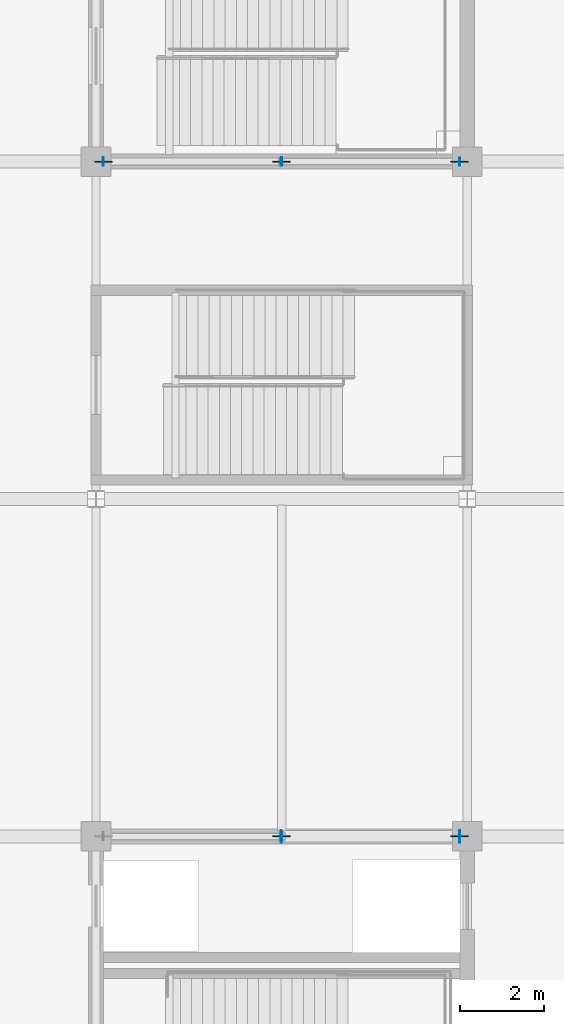
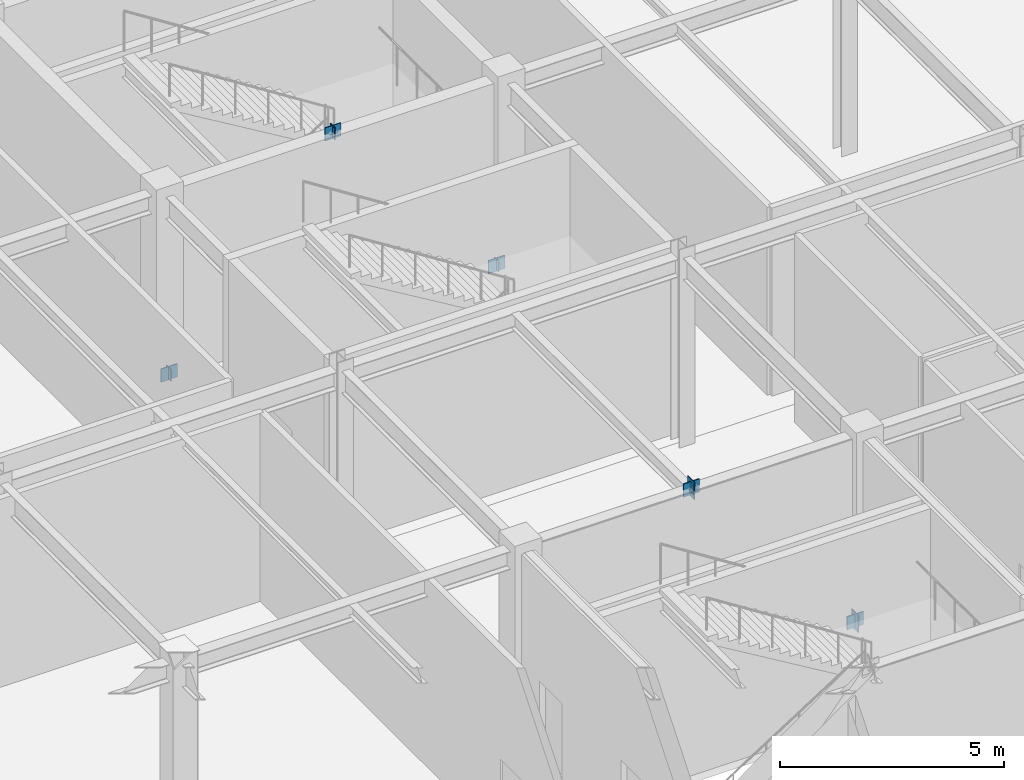
# One storey, part 79 of 119: 12 plates.
"""IFC4 building model written with IfcOpenShell, lengths in metres."""

from ifc_helpers import new_model, si_unit, direction, frame, origin, origin_2d, place, context, subcontext, project, spatial, rectangle, extrude, material, layer, layer_set, type_object, element, save


model = new_model("IFC4")

# Units and contexts
model_context = context("Model", 3, precision=1e-05, world=origin(), true_north=direction((0.0, 1.0)))
body_context = subcontext(model_context, "Body", "Model", "MODEL_VIEW")
ifc_project = project(units=[si_unit("LENGTHUNIT", "METRE"), si_unit("AREAUNIT", "SQUARE_METRE"), si_unit("VOLUMEUNIT", "CUBIC_METRE"), si_unit("PLANEANGLEUNIT", "RADIAN"), si_unit("MASSUNIT", "GRAM", prefix="KILO")], contexts=[model_context])

# Site, building, storey
site_placement = place(None, origin())
site = spatial("IfcSite", under=ifc_project, at=site_placement, CompositionType="ELEMENT")
building_placement = place(site_placement, origin())
building = spatial("IfcBuilding", under=site, at=building_placement, Name="Zhaolan Boulevard Law Courts", CompositionType="ELEMENT")
storey_placement = place(building_placement, origin())
storey = spatial("IfcBuildingStorey", under=building, at=storey_placement, Name="L00", CompositionType="ELEMENT", Elevation=0.0)

# Plates
ifc_material_1 = material(Name="Structural steel Q355B", Category="steel")
ifc_layer_1 = layer(ifc_material_1, 0.02392578125)
ifc_layer_set_1 = layer_set([ifc_layer_1])
plate_type_1 = type_object("IfcPlateType", Name="BRACE GUSSET PLATE 24", PredefinedType="SHEET", material=ifc_layer_set_1)
for number, where, z_axis, x_axis, name in (
    (1, (26.219970703125, 70.0, -0.14990234375), (0.0, 0.0, 1.0), (1.0, 0.0, 0.0), "Brace Gusset Connection Plate GP-W2-L00-NA2"),
    (2, (22.0, 70.0, 4.93994140625), (0.0, 0.0, 1.0), (1.0, 0.0, 0.0), "Brace Gusset Connection Plate GP-W2-L00-NAPX"),
    (3, (17.780029296875, 86.0, -0.14990234375), (0.0, 0.0, 1.0), (1.0, 0.0, 0.0), "Brace Gusset Connection Plate GP-L1-L00-SA1"),
    (4, (26.219970703125, 86.0, -0.14990234375), (0.0, 0.0, 1.0), (1.0, 0.0, 0.0), "Brace Gusset Connection Plate GP-L1-L00-SA2"),
    (5, (22.0, 86.0, 4.93994140625), (0.0, 0.0, 1.0), (1.0, 0.0, 0.0), "Brace Gusset Connection Plate GP-L1-L00-SAPX"),
):
    element("IfcPlate", number, at=place(storey_placement, frame(where, z_axis=z_axis, x_axis=x_axis)), inside=storey, type_object=plate_type_1, Name=name, PredefinedType="SHEET", context=body_context, shape_type="SweptSolid", body=[
        extrude(rectangle(XDim=0.419921875, YDim=0.02392578125, at=origin_2d()), origin(), (0.0, 0.0, 1.0), 0.360107421875),
    ])
ifc_material_2 = material(Name="Structural steel Q355B", Category="steel")
ifc_layer_2 = layer(ifc_material_2, 0.02001953125)
ifc_layer_set_2 = layer_set([ifc_layer_2])
plate_type_2 = type_object("IfcPlateType", Name="END CAP PLATE 20", PredefinedType="SHEET", material=ifc_layer_set_2)
plate_placement = place(storey_placement, frame((22.005126953125, 70.0, 4.97705078125), z_axis=(0.0, 0.0, 1.0), x_axis=(1.0, 0.0, 0.0)))
element("IfcPlate", 6, at=plate_placement, inside=storey, type_object=plate_type_2, Name="Hollow Section End-Cap Plate ECP-1144", PredefinedType="SHEET", context=body_context, shape_type="SweptSolid", body=[
    extrude(rectangle(XDim=0.02001953125, YDim=0.18994140625, at=origin_2d()), origin(), (0.0, 0.0, 1.0), 0.298095703125),
])
for number, where, z_axis, x_axis, name in (
    (7, (26.22509765625, 70.0, -0.2138671875), (0.0, 0.0, 1.0), (-1.0, 0.0, 0.0), "Hollow Section End-Cap Plate ECP-1145"),
    (8, (21.994873046875, 70.0, 4.888671875), (0.0, 0.0, 1.0), (-1.0, 0.0, 0.0), "Hollow Section End-Cap Plate ECP-1146"),
):
    element("IfcPlate", number, at=place(storey_placement, frame(where, z_axis=z_axis, x_axis=x_axis)), inside=storey, type_object=plate_type_2, Name=name, PredefinedType="SHEET", context=body_context, shape_type="SweptSolid", body=[
        extrude(rectangle(XDim=0.02001953125, YDim=0.302978515625, at=origin_2d()), origin(), (0.0, 0.0, 1.0), 0.47509765625),
    ])
for number, where, z_axis, x_axis, name in (
    (9, (17.77490234375, 86.0, -0.140869140625), (0.0, 0.0, 1.0), (1.0, 0.0, 0.0), "Hollow Section End-Cap Plate ECP-1347"),
    (10, (22.005126953125, 86.0, 4.961669921875), (0.0, 0.0, 1.0), (1.0, 0.0, 0.0), "Hollow Section End-Cap Plate ECP-1348"),
):
    element("IfcPlate", number, at=place(storey_placement, frame(where, z_axis=z_axis, x_axis=x_axis)), inside=storey, type_object=plate_type_2, Name=name, PredefinedType="SHEET", context=body_context, shape_type="SweptSolid", body=[
        extrude(rectangle(XDim=0.02001953125, YDim=0.2099609375, at=origin_2d()), origin(), (0.0, 0.0, 1.0), 0.3291015625),
    ])
for number, where, z_axis, x_axis, name in (
    (11, (26.22509765625, 86.0, -0.12548828125), (0.0, 0.0, 1.0), (-1.0, 0.0, 0.0), "Hollow Section End-Cap Plate ECP-1349"),
    (12, (21.994873046875, 86.0, 4.97705078125), (0.0, 0.0, 1.0), (-1.0, 0.0, 0.0), "Hollow Section End-Cap Plate ECP-1350"),
):
    element("IfcPlate", number, at=place(storey_placement, frame(where, z_axis=z_axis, x_axis=x_axis)), inside=storey, type_object=plate_type_2, Name=name, PredefinedType="SHEET", context=body_context, shape_type="SweptSolid", body=[
        extrude(rectangle(XDim=0.02001953125, YDim=0.18994140625, at=origin_2d()), origin(), (0.0, 0.0, 1.0), 0.298095703125),
    ])

save(model, "model.ifc")
